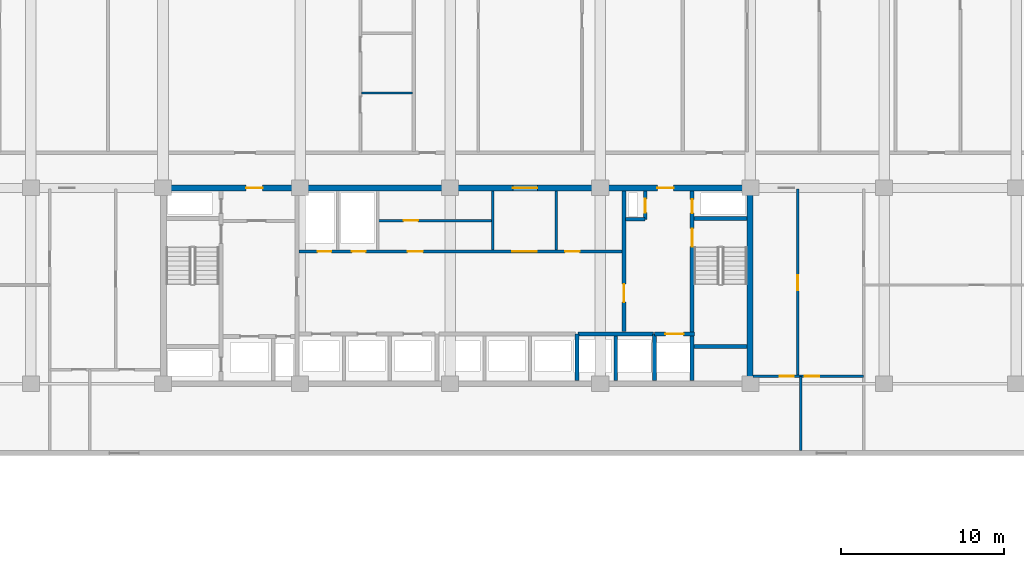
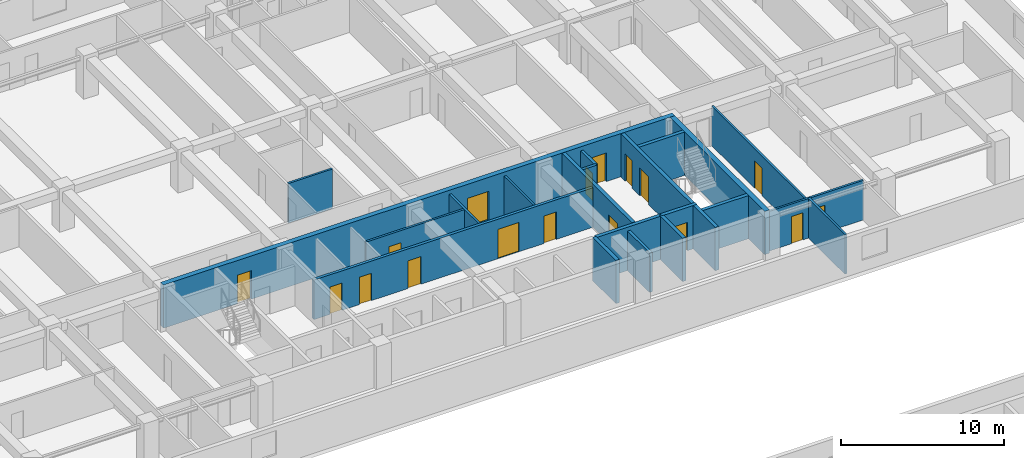
# One storey, part 12 of 23: 21 walls, 17 doors, 17 openings.
"""IFC4 building model written with IfcOpenShell, lengths in metres."""

from ifc_helpers import new_model, si_unit, direction, frame, frame_2d, origin, place, context, subcontext, project, spatial, rectangle, extrude, material, layer, layer_set, type_object, element, fill, save


model = new_model("IFC4")

# Units and contexts
model_context = context("Model", 3, precision=1e-05, world=origin(), true_north=direction((0.0, 1.0)))
body_context = subcontext(model_context, "Body", "Model", "MODEL_VIEW")
ifc_project = project(units=[si_unit("LENGTHUNIT", "METRE"), si_unit("AREAUNIT", "SQUARE_METRE"), si_unit("VOLUMEUNIT", "CUBIC_METRE"), si_unit("PLANEANGLEUNIT", "RADIAN"), si_unit("MASSUNIT", "GRAM", prefix="KILO")], contexts=[model_context])

# Site, building, storey
site_placement = place(None, origin())
site = spatial("IfcSite", under=ifc_project, at=site_placement, CompositionType="ELEMENT")
building_placement = place(site_placement, origin())
building = spatial("IfcBuilding", under=site, at=building_placement, Name="Korimba Cascade Residences", CompositionType="ELEMENT")
storey_placement = place(building_placement, frame((0.0, 0.0, 72.75)))
storey = spatial("IfcBuildingStorey", under=building, at=storey_placement, Name="L20", CompositionType="ELEMENT", Elevation=72.75)

# Wall
ifc_material_1 = material(Name="Concrete C65/80", Category="concrete")
ifc_layer_1 = layer(ifc_material_1, 0.35009765625)
ifc_layer_set_1 = layer_set([ifc_layer_1], Name="Concrete C65/80")
wall_type_1 = type_object("IfcWallType", Name="WAL-CORE-350", PredefinedType="SHEAR", material=ifc_layer_set_1)
wall_1_placement = place(storey_placement, frame((112.074951171875, 55.375, 0.0), z_axis=(0.0, 0.0, 1.0), x_axis=(0.0, 1.0, 0.0)))
element("IfcWall", 1, at=wall_1_placement, inside=storey, type_object=wall_type_1, Name="L20 Core Shear Wall CW-L20-T1-E", PredefinedType="SHEAR", context=body_context, shape_type="SweptSolid", body=[
    extrude(rectangle(XDim=11.64990234375, YDim=0.35009765625, at=frame_2d((5.824951171875, 0.0))), origin(), (0.0, 0.0, 1.0), 3.25),
])

# Wall, openings, doors
wall_2_placement = place(storey_placement, frame((75.949951171875, 67.199951171875, 0.0), z_axis=(0.0, 0.0, 1.0), x_axis=(1.0, 0.0, 0.0)))
wall_2 = element("IfcWall", 2, at=wall_2_placement, inside=storey, type_object=wall_type_1, Name="L20 Core Shear Wall CW-L20-T1-N", PredefinedType="SHEAR", context=body_context, shape_type="SweptSolid", body=[
    extrude(rectangle(XDim=36.300048828125, YDim=0.35009765625, at=frame_2d((18.14990234375, 0.0))), origin(), (0.0, 0.0, 1.0), 3.25),
])
opening_1_placement = place(wall_2_placement, frame((5.25, 0.0, 0.0)))
opening_1 = element("IfcOpeningElement", 3, at=opening_1_placement, cuts=wall_2, Name="Opening D-FD5", PredefinedType="OPENING", context=body_context, shape_type="SweptSolid", body=[
    extrude(rectangle(XDim=1.0, YDim=2.14990234375, at=frame_2d((0.5, 1.074951171875))), frame((0.0, 0.18505859375, 0.0), z_axis=(0.0, -1.0, 0.0), x_axis=(1.0, 0.0, 0.0)), (0.0, 0.0, 1.0), 0.3701171875),
])
opening_2_placement = place(wall_2_placement, frame((21.60009765625, 0.0, 0.0)))
opening_2 = element("IfcOpeningElement", 4, at=opening_2_placement, cuts=wall_2, Name="Opening D-FD8", PredefinedType="OPENING", context=body_context, shape_type="SweptSolid", body=[
    extrude(rectangle(XDim=1.5, YDim=2.199951171875, at=frame_2d((0.75, 1.10009765625))), frame((0.0, 0.18505859375, 0.0), z_axis=(0.0, -1.0, 0.0), x_axis=(1.0, 0.0, 0.0)), (0.0, 0.0, 1.0), 0.3701171875),
])
opening_3_placement = place(wall_2_placement, frame((30.449951171875, 0.0, 0.0)))
opening_3 = element("IfcOpeningElement", 5, at=opening_3_placement, cuts=wall_2, Name="Opening D-FD5", PredefinedType="OPENING", context=body_context, shape_type="SweptSolid", body=[
    extrude(rectangle(XDim=1.0, YDim=2.14990234375, at=frame_2d((0.5, 1.074951171875))), frame((0.0, 0.18505859375, 0.0), z_axis=(0.0, -1.0, 0.0), x_axis=(1.0, 0.0, 0.0)), (0.0, 0.0, 1.0), 0.3701171875),
])
ifc_material_2 = material(Name="Fire-Rated Acoustic Timber Vestibule Door", Category="wood")
door_type_1 = type_object("IfcDoorType", Name="DR-FD90-1000", OperationType="NOTDEFINED", PredefinedType="DOOR", material=ifc_material_2)
door_1_placement = place(opening_1_placement, origin())
door_1 = element("IfcDoor", 6, at=door_1_placement, inside=storey, type_object=door_type_1, Name="L20 T1 West Core Vestibule Fire Door", OperationType="SINGLE_SWING_RIGHT", OverallHeight=2.14990234375, OverallWidth=1.0, PredefinedType="DOOR", context=body_context, shape_type="SweptSolid", body=[
    extrude(rectangle(XDim=1.0, YDim=2.14990234375, at=frame_2d((0.5, 1.074951171875))), frame((0.0, 0.02490234375, 0.0), z_axis=(0.0, -1.0, 0.0), x_axis=(1.0, 0.0, 0.0)), (0.0, 0.0, 1.0), 0.050048828125),
])
fill(opening_1, door_1)
door_2_placement = place(opening_3_placement, origin())
door_2 = element("IfcDoor", 7, at=door_2_placement, inside=storey, type_object=door_type_1, Name="L20 T1 East Firefighting Vestibule Fire Door", OperationType="SINGLE_SWING_LEFT", OverallHeight=2.14990234375, OverallWidth=1.0, PredefinedType="DOOR", context=body_context, shape_type="SweptSolid", body=[
    extrude(rectangle(XDim=1.0, YDim=2.14990234375, at=frame_2d((0.5, 1.074951171875))), frame((0.0, 0.02490234375, 0.0), z_axis=(0.0, -1.0, 0.0), x_axis=(1.0, 0.0, 0.0)), (0.0, 0.0, 1.0), 0.050048828125),
])
fill(opening_3, door_2)
ifc_material_3 = material(Name="Fire-Rated Glazed Lift Lobby Double Door", Category="glass")
door_type_2 = type_object("IfcDoorType", Name="DR-FD90-1500", OperationType="NOTDEFINED", PredefinedType="DOOR", material=ifc_material_3)
door_3_placement = place(opening_2_placement, origin())
door_3 = element("IfcDoor", 8, at=door_3_placement, inside=storey, type_object=door_type_2, Name="L20 T1 Lift Lobby Fire Door", OperationType="DOUBLE_DOOR_SINGLE_SWING", OverallHeight=2.199951171875, OverallWidth=1.5, PredefinedType="DOOR", context=body_context, shape_type="SweptSolid", body=[
    extrude(rectangle(XDim=1.5, YDim=2.199951171875, at=frame_2d((0.75, 1.10009765625))), frame((0.0, 0.02490234375, 0.0), z_axis=(0.0, -1.0, 0.0), x_axis=(1.0, 0.0, 0.0)), (0.0, 0.0, 1.0), 0.050048828125),
])
fill(opening_2, door_3)

# Wall, opening, door
ifc_material_4 = material(Name="Insulated Acoustic Stud Partition", Category="gypsum")
ifc_layer_2 = layer(ifc_material_4, 0.14990234375)
ifc_layer_set_2 = layer_set([ifc_layer_2], Name="Insulated Acoustic Stud Partition")
wall_type_2 = type_object("IfcWallType", Name="WAL-PART-150", PredefinedType="PARTITIONING", material=ifc_layer_set_2)
wall_3_placement = place(storey_placement, frame((89.25, 65.199951171875, 0.0), z_axis=(0.0, 0.0, 1.0), x_axis=(1.0, 0.0, 0.0)))
wall_3 = element("IfcWall", 9, at=wall_3_placement, inside=storey, type_object=wall_type_2, Name="L20 Partition Wall CW-L20-T1-CA2HZ", PredefinedType="PARTITIONING", context=body_context, shape_type="SweptSolid", body=[
    extrude(rectangle(XDim=7.050048828125, YDim=0.14990234375, at=frame_2d((3.52490234375, 0.0))), origin(), (0.0, 0.0, 1.0), 2.969970703125),
])
opening_4_placement = place(wall_3_placement, frame((1.60009765625, 0.0, 0.0)))
opening_4 = element("IfcOpeningElement", 10, at=opening_4_placement, cuts=wall_3, Name="Opening D-IN2", PredefinedType="OPENING", context=body_context, shape_type="SweptSolid", body=[
    extrude(rectangle(XDim=0.8798828125, YDim=2.06005859375, at=frame_2d((0.43994140625, 1.030029296875))), frame((0.0, 0.0849609375, 0.0), z_axis=(0.0, -1.0, 0.0), x_axis=(1.0, 0.0, 0.0)), (0.0, 0.0, 1.0), 0.169921875),
])
ifc_material_5 = material(Name="Acoustic Timber Bedroom Door", Category="wood")
door_type_3 = type_object("IfcDoorType", Name="DR-INT-880", OperationType="NOTDEFINED", PredefinedType="DOOR", material=ifc_material_5)
door_4_placement = place(opening_4_placement, origin())
door_4 = element("IfcDoor", 11, at=door_4_placement, inside=storey, type_object=door_type_3, Name="L20 Pram Store Door", OperationType="SINGLE_SWING_RIGHT", OverallHeight=2.06005859375, OverallWidth=0.8798828125, PredefinedType="DOOR", context=body_context, shape_type="SweptSolid", body=[
    extrude(rectangle(XDim=0.8798828125, YDim=2.06005859375, at=frame_2d((0.43994140625, 1.030029296875))), frame((0.0, 0.02490234375, 0.0), z_axis=(0.0, -1.0, 0.0), x_axis=(1.0, 0.0, 0.0)), (0.0, 0.0, 1.0), 0.050048828125),
])
fill(opening_4, door_4)

# Walls
for number, where, z_axis, x_axis, name in (
    (12, (96.300048828125, 63.39990234375, 0.0), (0.0, 0.0, 1.0), (0.0, 1.0, 0.0), "L20 Partition Wall CW-L20-T1-THW"),
    (13, (100.199951171875, 63.39990234375, 0.0), (0.0, 0.0, 1.0), (0.0, 1.0, 0.0), "L20 Partition Wall CW-L20-T1-THE"),
):
    element("IfcWall", number, at=place(storey_placement, frame(where, z_axis=z_axis, x_axis=x_axis)), inside=storey, type_object=wall_type_2, Name=name, PredefinedType="PARTITIONING", context=body_context, shape_type="SweptSolid", body=[
        extrude(rectangle(XDim=3.60009765625, YDim=0.14990234375, at=frame_2d((1.800048828125, 0.0))), origin(), (0.0, 0.0, 1.0), 2.969970703125),
    ])

# Wall, opening, door
wall_4_placement = place(storey_placement, frame((115.0, 55.64990234375, 0.0), z_axis=(0.0, 0.0, 1.0), x_axis=(0.0, 1.0, 0.0)))
wall_4 = element("IfcWall", 14, at=wall_4_placement, inside=storey, type_object=wall_type_2, Name="L20 Partition Wall WAL-L20-T1-FE-VN", PredefinedType="PARTITIONING", context=body_context, shape_type="SweptSolid", body=[
    extrude(rectangle(XDim=11.5, YDim=0.14990234375, at=frame_2d((5.75, 0.0))), origin(), (0.0, 0.0, 1.0), 2.969970703125),
])
opening_5_placement = place(wall_4_placement, frame((5.2900390625, 0.0, 0.0)))
opening_5 = element("IfcOpeningElement", 15, at=opening_5_placement, cuts=wall_4, Name="Opening D-IN1", PredefinedType="OPENING", context=body_context, shape_type="SweptSolid", body=[
    extrude(rectangle(XDim=0.919921875, YDim=2.080078125, at=frame_2d((0.4599609375, 1.0400390625))), frame((0.0, 0.0849609375, 0.0), z_axis=(0.0, -1.0, 0.0), x_axis=(1.0, 0.0, 0.0)), (0.0, 0.0, 1.0), 0.169921875),
])
ifc_material_6 = material(Name="Acoustic Timber Living Door", Category="wood")
door_type_4 = type_object("IfcDoorType", Name="DR-INT-920", OperationType="NOTDEFINED", PredefinedType="DOOR", material=ifc_material_6)
door_5_placement = place(opening_5_placement, origin())
door_5 = element("IfcDoor", 16, at=door_5_placement, inside=storey, type_object=door_type_4, Name="L20-T1-FE Living Door", OperationType="SINGLE_SWING_LEFT", OverallHeight=2.080078125, OverallWidth=0.919921875, PredefinedType="DOOR", context=body_context, shape_type="SweptSolid", body=[
    extrude(rectangle(XDim=0.919921875, YDim=2.080078125, at=frame_2d((0.4599609375, 1.0400390625))), frame((0.0, 0.02490234375, 0.0), z_axis=(0.0, -1.0, 0.0), x_axis=(1.0, 0.0, 0.0)), (0.0, 0.0, 1.0), 0.050048828125),
])
fill(opening_5, door_5)

# Wall
wall_5_placement = place(storey_placement, frame((115.199951171875, 51.10009765625, 0.0), z_axis=(0.0, 0.0, 1.0), x_axis=(0.0, 1.0, 0.0)))
element("IfcWall", 17, at=wall_5_placement, inside=storey, type_object=wall_type_2, Name="L20 Partition Wall WAL-L20-T1-FE-VS", PredefinedType="PARTITIONING", context=body_context, shape_type="SweptSolid", body=[
    extrude(rectangle(XDim=4.5498046875, YDim=0.14990234375, at=frame_2d((2.27490234375, 0.0))), origin(), (0.0, 0.0, 1.0), 2.969970703125),
])

# Wall, openings, doors
wall_6_placement = place(storey_placement, frame((112.27001953125, 55.64990234375, 0.0), z_axis=(0.0, 0.0, 1.0), x_axis=(1.0, 0.0, 0.0)))
wall_6 = element("IfcWall", 18, at=wall_6_placement, inside=storey, type_object=wall_type_2, Name="L20 Partition Wall WAL-L20-T1-FE-H", PredefinedType="PARTITIONING", context=body_context, shape_type="SweptSolid", body=[
    extrude(rectangle(XDim=6.760009765625, YDim=0.14990234375, at=frame_2d((3.3798828125, 0.0))), origin(), (0.0, 0.0, 1.0), 2.969970703125),
])
opening_6_placement = place(wall_6_placement, frame((1.6396484375, 0.0, 0.0)))
opening_6 = element("IfcOpeningElement", 19, at=opening_6_placement, cuts=wall_6, Name="Opening D-BT1", PredefinedType="OPENING", context=body_context, shape_type="SweptSolid", body=[
    extrude(rectangle(XDim=0.840087890625, YDim=2.0400390625, at=frame_2d((0.419921875, 1.02001953125))), frame((0.0, 0.0849609375, 0.0), z_axis=(0.0, -1.0, 0.0), x_axis=(1.0, 0.0, 0.0)), (0.0, 0.0, 1.0), 0.169921875),
])
opening_7_placement = place(wall_6_placement, frame((3.160400390625, 0.0, 0.0)))
opening_7 = element("IfcOpeningElement", 20, at=opening_7_placement, cuts=wall_6, Name="Opening D-IN2", PredefinedType="OPENING", context=body_context, shape_type="SweptSolid", body=[
    extrude(rectangle(XDim=0.8798828125, YDim=2.06005859375, at=frame_2d((0.43994140625, 1.030029296875))), frame((0.0, 0.0849609375, 0.0), z_axis=(0.0, -1.0, 0.0), x_axis=(1.0, 0.0, 0.0)), (0.0, 0.0, 1.0), 0.169921875),
])
ifc_material_7 = material(Name="Moisture-Resistant Bathroom Timber Door", Category="wood")
door_type_5 = type_object("IfcDoorType", Name="DR-INT-850", OperationType="NOTDEFINED", PredefinedType="DOOR", material=ifc_material_7)
door_6_placement = place(opening_6_placement, origin())
door_6 = element("IfcDoor", 21, at=door_6_placement, inside=storey, type_object=door_type_5, Name="L20-T1-FE Bathroom Door", OperationType="SINGLE_SWING_RIGHT", OverallHeight=2.0400390625, OverallWidth=0.840087890625, PredefinedType="DOOR", context=body_context, shape_type="SweptSolid", body=[
    extrude(rectangle(XDim=0.840087890625, YDim=2.0400390625, at=frame_2d((0.419921875, 1.02001953125))), frame((0.0, 0.02490234375, 0.0), z_axis=(0.0, -1.0, 0.0), x_axis=(1.0, 0.0, 0.0)), (0.0, 0.0, 1.0), 0.050048828125),
])
fill(opening_6, door_6)
door_7_placement = place(opening_7_placement, origin())
door_7 = element("IfcDoor", 22, at=door_7_placement, inside=storey, type_object=door_type_3, Name="L20-T1-FE Bedroom Door", OperationType="SINGLE_SWING_LEFT", OverallHeight=2.06005859375, OverallWidth=0.8798828125, PredefinedType="DOOR", context=body_context, shape_type="SweptSolid", body=[
    extrude(rectangle(XDim=0.8798828125, YDim=2.06005859375, at=frame_2d((0.43994140625, 1.030029296875))), frame((0.0, 0.02490234375, 0.0), z_axis=(0.0, -1.0, 0.0), x_axis=(1.0, 0.0, 0.0)), (0.0, 0.0, 1.0), 0.050048828125),
])
fill(opening_7, door_7)

# Walls
wall_7_placement = place(storey_placement, frame((88.2509765625, 73.02001953125, 0.0), z_axis=(0.0, 0.0, 1.0), x_axis=(1.0, 0.0, 0.0)))
element("IfcWall", 23, at=wall_7_placement, inside=storey, type_object=wall_type_2, Name="L20 Partition Wall WAL-L20-T1-U02-WCH", PredefinedType="PARTITIONING", context=body_context, shape_type="SweptSolid", body=[
    extrude(rectangle(XDim=3.1298828125, YDim=0.14990234375, at=frame_2d((1.56494140625, 0.0))), origin(), (0.0, 0.0, 1.0), 2.969970703125),
])
ifc_material_8 = material(Name="Concrete C40/50", Category="concrete")
ifc_layer_3 = layer(ifc_material_8, 0.199951171875)
ifc_layer_set_3 = layer_set([ifc_layer_3], Name="Concrete C40/50")
wall_type_3 = type_object("IfcWallType", Name="WAL-PART-200", PredefinedType="PARTITIONING", material=ifc_layer_set_3)
wall_8_placement = place(storey_placement, frame((103.85009765625, 55.39990234375, 0.0), z_axis=(0.0, 0.0, 1.0), x_axis=(0.0, 1.0, 0.0)))
element("IfcWall", 24, at=wall_8_placement, inside=storey, type_object=wall_type_3, Name="L20 Partition Wall CW-L20-T1-B3D1", PredefinedType="PARTITIONING", context=body_context, shape_type="SweptSolid", body=[
    extrude(rectangle(XDim=2.72021484375, YDim=0.199951171875, at=frame_2d((1.360107421875, 0.0))), origin(), (0.0, 0.0, 1.0), 2.969970703125),
])

# Wall, openings, doors
wall_9_placement = place(storey_placement, frame((84.419921875, 63.300048828125, 0.0), z_axis=(0.0, 0.0, 1.0), x_axis=(1.0, 0.0, 0.0)))
wall_9 = element("IfcWall", 25, at=wall_9_placement, inside=storey, type_object=wall_type_3, Name="L20 Partition Wall CW-L20-T1-SRVROW", PredefinedType="PARTITIONING", context=body_context, shape_type="SweptSolid", body=[
    extrude(rectangle(XDim=19.830078125, YDim=0.199951171875, at=frame_2d((9.9150390625, 0.0))), origin(), (0.0, 0.0, 1.0), 2.969970703125),
])
opening_8_placement = place(wall_9_placement, frame((1.14990234375, 0.0, 0.0)))
opening_8 = element("IfcOpeningElement", 26, at=opening_8_placement, cuts=wall_9, Name="Opening D-RS1", PredefinedType="OPENING", context=body_context, shape_type="SweptSolid", body=[
    extrude(rectangle(XDim=0.85009765625, YDim=2.050048828125, at=frame_2d((0.425048828125, 1.02490234375))), frame((0.0, 0.10986328125, 0.0), z_axis=(0.0, -1.0, 0.0), x_axis=(1.0, 0.0, 0.0)), (0.0, 0.0, 1.0), 0.219970703125),
])
opening_9_placement = place(wall_9_placement, frame((3.25, 0.0, 0.0)))
opening_9 = element("IfcOpeningElement", 27, at=opening_9_placement, cuts=wall_9, Name="Opening D-RS1", PredefinedType="OPENING", context=body_context, shape_type="SweptSolid", body=[
    extrude(rectangle(XDim=0.85009765625, YDim=2.050048828125, at=frame_2d((0.425048828125, 1.02490234375))), frame((0.0, 0.10986328125, 0.0), z_axis=(0.0, -1.0, 0.0), x_axis=(1.0, 0.0, 0.0)), (0.0, 0.0, 1.0), 0.219970703125),
])
opening_10_placement = place(wall_9_placement, frame((13.080078125, 0.0, 0.0)))
opening_10 = element("IfcOpeningElement", 28, at=opening_10_placement, cuts=wall_9, Name="Opening D-FD8", PredefinedType="OPENING", context=body_context, shape_type="SweptSolid", body=[
    extrude(rectangle(XDim=1.5, YDim=2.199951171875, at=frame_2d((0.75, 1.10009765625))), frame((0.0, 0.10986328125, 0.0), z_axis=(0.0, -1.0, 0.0), x_axis=(1.0, 0.0, 0.0)), (0.0, 0.0, 1.0), 0.219970703125),
])
opening_11_placement = place(wall_9_placement, frame((6.679931640625, 0.0, 0.0)))
opening_11 = element("IfcOpeningElement", 29, at=opening_11_placement, cuts=wall_9, Name="Opening D-IN1", PredefinedType="OPENING", context=body_context, shape_type="SweptSolid", body=[
    extrude(rectangle(XDim=0.919921875, YDim=2.080078125, at=frame_2d((0.4599609375, 1.0400390625))), frame((0.0, 0.10986328125, 0.0), z_axis=(0.0, -1.0, 0.0), x_axis=(1.0, 0.0, 0.0)), (0.0, 0.0, 1.0), 0.219970703125),
])
opening_12_placement = place(wall_9_placement, frame((16.330078125, 0.0, 0.0)))
opening_12 = element("IfcOpeningElement", 30, at=opening_12_placement, cuts=wall_9, Name="Opening D-IN2", PredefinedType="OPENING", context=body_context, shape_type="SweptSolid", body=[
    extrude(rectangle(XDim=0.8798828125, YDim=2.06005859375, at=frame_2d((0.43994140625, 1.030029296875))), frame((0.0, 0.10986328125, 0.0), z_axis=(0.0, -1.0, 0.0), x_axis=(1.0, 0.0, 0.0)), (0.0, 0.0, 1.0), 0.219970703125),
])
ifc_material_9 = material(Name="Fire-Rated Steel Riser Access Door", Category="steel")
door_type_6 = type_object("IfcDoorType", Name="DR-FD60-850", OperationType="NOTDEFINED", PredefinedType="DOOR", material=ifc_material_9)
door_8_placement = place(opening_8_placement, origin())
door_8 = element("IfcDoor", 31, at=door_8_placement, inside=storey, type_object=door_type_6, Name="L20 Electrical Riser Door", OperationType="SINGLE_SWING_LEFT", OverallHeight=2.050048828125, OverallWidth=0.85009765625, PredefinedType="DOOR", context=body_context, shape_type="SweptSolid", body=[
    extrude(rectangle(XDim=0.85009765625, YDim=2.050048828125, at=frame_2d((0.425048828125, 1.02490234375))), frame((0.0, 0.02490234375, 0.0), z_axis=(0.0, -1.0, 0.0), x_axis=(1.0, 0.0, 0.0)), (0.0, 0.0, 1.0), 0.050048828125),
])
fill(opening_8, door_8)
door_9_placement = place(opening_9_placement, origin())
door_9 = element("IfcDoor", 32, at=door_9_placement, inside=storey, type_object=door_type_6, Name="L20 Plumbing Riser Door", OperationType="SINGLE_SWING_RIGHT", OverallHeight=2.050048828125, OverallWidth=0.85009765625, PredefinedType="DOOR", context=body_context, shape_type="SweptSolid", body=[
    extrude(rectangle(XDim=0.85009765625, YDim=2.050048828125, at=frame_2d((0.425048828125, 1.02490234375))), frame((0.0, 0.02490234375, 0.0), z_axis=(0.0, -1.0, 0.0), x_axis=(1.0, 0.0, 0.0)), (0.0, 0.0, 1.0), 0.050048828125),
])
fill(opening_9, door_9)
door_10_placement = place(opening_10_placement, origin())
door_10 = element("IfcDoor", 33, at=door_10_placement, inside=storey, type_object=door_type_2, Name="L20 Lift Lobby Foyer Archway Door", OperationType="DOUBLE_DOOR_SINGLE_SWING", OverallHeight=2.199951171875, OverallWidth=1.5, PredefinedType="DOOR", context=body_context, shape_type="SweptSolid", body=[
    extrude(rectangle(XDim=1.5, YDim=2.199951171875, at=frame_2d((0.75, 1.10009765625))), frame((0.0, 0.02490234375, 0.0), z_axis=(0.0, -1.0, 0.0), x_axis=(1.0, 0.0, 0.0)), (0.0, 0.0, 1.0), 0.050048828125),
])
fill(opening_10, door_10)
door_11_placement = place(opening_12_placement, origin())
door_11 = element("IfcDoor", 34, at=door_11_placement, inside=storey, type_object=door_type_3, Name="L20 Staff WC Door", OperationType="SINGLE_SWING_RIGHT", OverallHeight=2.06005859375, OverallWidth=0.8798828125, PredefinedType="DOOR", context=body_context, shape_type="SweptSolid", body=[
    extrude(rectangle(XDim=0.8798828125, YDim=2.06005859375, at=frame_2d((0.43994140625, 1.030029296875))), frame((0.0, 0.02490234375, 0.0), z_axis=(0.0, -1.0, 0.0), x_axis=(1.0, 0.0, 0.0)), (0.0, 0.0, 1.0), 0.050048828125),
])
fill(opening_12, door_11)
door_12_placement = place(opening_11_placement, origin())
door_12 = element("IfcDoor", 35, at=door_12_placement, inside=storey, type_object=door_type_4, Name="L20 Locker Room Door", OperationType="SINGLE_SWING_LEFT", OverallHeight=2.080078125, OverallWidth=0.919921875, PredefinedType="DOOR", context=body_context, shape_type="SweptSolid", body=[
    extrude(rectangle(XDim=0.919921875, YDim=2.080078125, at=frame_2d((0.4599609375, 1.0400390625))), frame((0.0, 0.02490234375, 0.0), z_axis=(0.0, -1.0, 0.0), x_axis=(1.0, 0.0, 0.0)), (0.0, 0.0, 1.0), 0.050048828125),
])
fill(opening_11, door_12)

# Wall
wall_10_placement = place(storey_placement, frame((104.449951171875, 65.280029296875, 0.0), z_axis=(0.0, 0.0, 1.0), x_axis=(1.0, 0.0, 0.0)))
element("IfcWall", 36, at=wall_10_placement, inside=storey, type_object=wall_type_3, Name="L20 Partition Wall CW-L20-T1-HYDW2S", PredefinedType="PARTITIONING", context=body_context, shape_type="SweptSolid", body=[
    extrude(rectangle(XDim=1.199951171875, YDim=0.199951171875, at=frame_2d((0.60009765625, 0.0))), origin(), (0.0, 0.0, 1.0), 2.969970703125),
])

# Wall, opening, door
wall_11_placement = place(storey_placement, frame((105.64990234375, 65.280029296875, 0.0), z_axis=(0.0, 0.0, 1.0), x_axis=(0.0, 1.0, 0.0)))
wall_11 = element("IfcWall", 37, at=wall_11_placement, inside=storey, type_object=wall_type_3, Name="L20 Partition Wall CW-L20-T1-HYDW2E", PredefinedType="PARTITIONING", context=body_context, shape_type="SweptSolid", body=[
    extrude(rectangle(XDim=1.719970703125, YDim=0.199951171875, at=frame_2d((0.85986328125, 0.0))), origin(), (0.0, 0.0, 1.0), 2.969970703125),
])
opening_13_placement = place(wall_11_placement, frame((0.39990234375, 0.0, 0.0)))
opening_13 = element("IfcOpeningElement", 38, at=opening_13_placement, cuts=wall_11, Name="Opening D-RS1", PredefinedType="OPENING", context=body_context, shape_type="SweptSolid", body=[
    extrude(rectangle(XDim=0.85009765625, YDim=2.050048828125, at=frame_2d((0.425048828125, 1.02490234375))), frame((0.0, 0.10986328125, 0.0), z_axis=(0.0, -1.0, 0.0), x_axis=(1.0, 0.0, 0.0)), (0.0, 0.0, 1.0), 0.219970703125),
])
door_13_placement = place(opening_13_placement, origin())
door_13 = element("IfcDoor", 39, at=door_13_placement, inside=storey, type_object=door_type_6, Name="L20 East Hydrant Door", OperationType="SINGLE_SWING_LEFT", OverallHeight=2.050048828125, OverallWidth=0.85009765625, PredefinedType="DOOR", context=body_context, shape_type="SweptSolid", body=[
    extrude(rectangle(XDim=0.85009765625, YDim=2.050048828125, at=frame_2d((0.425048828125, 1.02490234375))), frame((0.0, 0.02490234375, 0.0), z_axis=(0.0, -1.0, 0.0), x_axis=(1.0, 0.0, 0.0)), (0.0, 0.0, 1.0), 0.050048828125),
])
fill(opening_13, door_13)

# Walls
ifc_material_10 = material(Name="Concrete C50/60", Category="concrete")
ifc_layer_4 = layer(ifc_material_10, 0.25)
ifc_layer_set_4 = layer_set([ifc_layer_4], Name="Concrete C50/60")
wall_type_4 = type_object("IfcWallType", Name="WAL-SHAFT-250", PredefinedType="SHEAR", material=ifc_layer_set_4)
wall_12_placement = place(storey_placement, frame((101.47998046875, 55.39990234375, 0.0), z_axis=(0.0, 0.0, 1.0), x_axis=(0.0, 1.0, 0.0)))
element("IfcWall", 40, at=wall_12_placement, inside=storey, type_object=wall_type_4, Name="L20 Core Shear Wall CW-L20-T1-B23DIV", PredefinedType="SHEAR", context=body_context, shape_type="SweptSolid", body=[
    extrude(rectangle(XDim=2.85009765625, YDim=0.25, at=frame_2d((1.425048828125, 0.0))), origin(), (0.0, 0.0, 1.0), 3.25),
])
wall_13_placement = place(storey_placement, frame((101.550048828125, 58.25, 0.0), z_axis=(0.0, 0.0, 1.0), x_axis=(1.0, 0.0, 0.0)))
element("IfcWall", 41, at=wall_13_placement, inside=storey, type_object=wall_type_4, Name="L20 Core Shear Wall CW-L20-T1-B3N", PredefinedType="SHEAR", context=body_context, shape_type="SweptSolid", body=[
    extrude(rectangle(XDim=4.599853515625, YDim=0.25, at=frame_2d((2.2998046875, 0.0))), origin(), (0.0, 0.0, 1.0), 3.25),
])
wall_14_placement = place(storey_placement, frame((106.219970703125, 55.39990234375, 0.0), z_axis=(0.0, 0.0, 1.0), x_axis=(0.0, 1.0, 0.0)))
element("IfcWall", 42, at=wall_14_placement, inside=storey, type_object=wall_type_4, Name="L20 Core Shear Wall CW-L20-T1-FF2W", PredefinedType="SHEAR", context=body_context, shape_type="SweptSolid", body=[
    extrude(rectangle(XDim=2.85009765625, YDim=0.25, at=frame_2d((1.425048828125, 0.0))), origin(), (0.0, 0.0, 1.0), 3.25),
])

# Wall, opening, door
wall_15_placement = place(storey_placement, frame((106.219970703125, 58.25, 0.0), z_axis=(0.0, 0.0, 1.0), x_axis=(1.0, 0.0, 0.0)))
wall_15 = element("IfcWall", 43, at=wall_15_placement, inside=storey, type_object=wall_type_4, Name="L20 Core Shear Wall CW-L20-T1-FF2N", PredefinedType="SHEAR", context=body_context, shape_type="SweptSolid", body=[
    extrude(rectangle(XDim=2.4599609375, YDim=0.25, at=frame_2d((1.22998046875, 0.0))), origin(), (0.0, 0.0, 1.0), 3.25),
])
opening_14_placement = place(wall_15_placement, frame((0.669921875, 0.0, 0.0)))
opening_14 = element("IfcOpeningElement", 44, at=opening_14_placement, cuts=wall_15, Name="Opening LD-01", PredefinedType="OPENING", context=body_context, shape_type="SweptSolid", body=[
    extrude(rectangle(XDim=1.1201171875, YDim=2.1201171875, at=frame_2d((0.56005859375, 1.06005859375))), frame((0.0, 0.135009765625, 0.0), z_axis=(0.0, -1.0, 0.0), x_axis=(1.0, 0.0, 0.0)), (0.0, 0.0, 1.0), 0.27001953125),
])
ifc_material_11 = material(Name="Stainless Steel Lift Landing Sliding Door", Category="steel")
door_type_7 = type_object("IfcDoorType", Name="DR-LIFT-1100", OperationType="NOTDEFINED", PredefinedType="DOOR", material=ifc_material_11)
door_14_placement = place(opening_14_placement, origin())
door_14 = element("IfcDoor", 45, at=door_14_placement, inside=storey, type_object=door_type_7, Name="L20 Firefighting Lift Landing Door FFL-W2", OperationType="SLIDING_TO_RIGHT", OverallHeight=2.1201171875, OverallWidth=1.1201171875, PredefinedType="DOOR", context=body_context, shape_type="SweptSolid", body=[
    extrude(rectangle(XDim=1.1201171875, YDim=2.1201171875, at=frame_2d((0.56005859375, 1.06005859375))), frame((0.0, 0.02490234375, 0.0), z_axis=(0.0, -1.0, 0.0), x_axis=(1.0, 0.0, 0.0)), (0.0, 0.0, 1.0), 0.050048828125),
])
fill(opening_14, door_14)

wall_16_placement = place(storey_placement, frame((104.35009765625, 58.39990234375, 0.0), z_axis=(0.0, 0.0, 1.0), x_axis=(0.0, 1.0, 0.0)))
wall_16 = element("IfcWall", 46, at=wall_16_placement, inside=storey, type_object=wall_type_4, Name="L20 Core Shear Wall CW-L20-T1-LLEV", PredefinedType="SHEAR", context=body_context, shape_type="SweptSolid", body=[
    extrude(rectangle(XDim=8.60009765625, YDim=0.25, at=frame_2d((4.300048828125, 0.0))), origin(), (0.0, 0.0, 1.0), 3.25),
])
opening_15_placement = place(wall_16_placement, frame((1.800048828125, 0.0, 0.0)))
opening_15 = element("IfcOpeningElement", 47, at=opening_15_placement, cuts=wall_16, Name="Opening D-FD1", PredefinedType="OPENING", context=body_context, shape_type="SweptSolid", body=[
    extrude(rectangle(XDim=1.10009765625, YDim=2.10009765625, at=frame_2d((0.550048828125, 1.050048828125))), frame((0.0, 0.135009765625, 0.0), z_axis=(0.0, -1.0, 0.0), x_axis=(1.0, 0.0, 0.0)), (0.0, 0.0, 1.0), 0.27001953125),
])
ifc_material_12 = material(Name="Fire-Rated Steel Core Door", Category="steel")
door_type_8 = type_object("IfcDoorType", Name="DR-FD120-1100", OperationType="NOTDEFINED", PredefinedType="DOOR", material=ifc_material_12)
door_15_placement = place(opening_15_placement, origin())
door_15 = element("IfcDoor", 48, at=door_15_placement, inside=storey, type_object=door_type_8, Name="L20 Lift Lobby to East Firefighting Lobby Door", OperationType="SINGLE_SWING_RIGHT", OverallHeight=2.10009765625, OverallWidth=1.10009765625, PredefinedType="DOOR", context=body_context, shape_type="SweptSolid", body=[
    extrude(rectangle(XDim=1.10009765625, YDim=2.10009765625, at=frame_2d((0.550048828125, 1.050048828125))), frame((0.0, 0.02490234375, 0.0), z_axis=(0.0, -1.0, 0.0), x_axis=(1.0, 0.0, 0.0)), (0.0, 0.0, 1.0), 0.050048828125),
])
fill(opening_15, door_15)

# Wall, openings, doors
wall_17_placement = place(storey_placement, frame((108.534912109375, 55.39990234375, 0.0), z_axis=(0.0, 0.0, 1.0), x_axis=(0.0, 1.0, 0.0)))
wall_17 = element("IfcWall", 49, at=wall_17_placement, inside=storey, type_object=wall_type_4, Name="L20 Core Shear Wall CW-L20-T1-STW2W", PredefinedType="SHEAR", context=body_context, shape_type="SweptSolid", body=[
    extrude(rectangle(XDim=11.60009765625, YDim=0.25, at=frame_2d((5.800048828125, 0.0))), origin(), (0.0, 0.0, 1.0), 3.25),
])
opening_16_placement = place(wall_17_placement, frame((8.199951171875, 0.0, 0.0)))
opening_16 = element("IfcOpeningElement", 50, at=opening_16_placement, cuts=wall_17, Name="Opening D-FD1", PredefinedType="OPENING", context=body_context, shape_type="SweptSolid", body=[
    extrude(rectangle(XDim=1.10009765625, YDim=2.10009765625, at=frame_2d((0.550048828125, 1.050048828125))), frame((0.0, 0.135009765625, 0.0), z_axis=(0.0, -1.0, 0.0), x_axis=(1.0, 0.0, 0.0)), (0.0, 0.0, 1.0), 0.27001953125),
])
opening_17_placement = place(wall_17_placement, frame((10.25, 0.0, 0.0)))
opening_17 = element("IfcOpeningElement", 51, at=opening_17_placement, cuts=wall_17, Name="Opening D-RS1", PredefinedType="OPENING", context=body_context, shape_type="SweptSolid", body=[
    extrude(rectangle(XDim=0.85009765625, YDim=2.050048828125, at=frame_2d((0.425048828125, 1.02490234375))), frame((0.0, 0.135009765625, 0.0), z_axis=(0.0, -1.0, 0.0), x_axis=(1.0, 0.0, 0.0)), (0.0, 0.0, 1.0), 0.27001953125),
])
door_16_placement = place(opening_16_placement, origin())
door_16 = element("IfcDoor", 52, at=door_16_placement, inside=storey, type_object=door_type_8, Name="L20 Fire Stair ST-W2 Door", OperationType="SINGLE_SWING_LEFT", OverallHeight=2.10009765625, OverallWidth=1.10009765625, PredefinedType="DOOR", context=body_context, shape_type="SweptSolid", body=[
    extrude(rectangle(XDim=1.10009765625, YDim=2.10009765625, at=frame_2d((0.550048828125, 1.050048828125))), frame((0.0, 0.02490234375, 0.0), z_axis=(0.0, -1.0, 0.0), x_axis=(1.0, 0.0, 0.0)), (0.0, 0.0, 1.0), 0.050048828125),
])
fill(opening_16, door_16)
door_17_placement = place(opening_17_placement, origin())
door_17 = element("IfcDoor", 53, at=door_17_placement, inside=storey, type_object=door_type_6, Name="L20 East Riser Door", OperationType="SINGLE_SWING_RIGHT", OverallHeight=2.050048828125, OverallWidth=0.85009765625, PredefinedType="DOOR", context=body_context, shape_type="SweptSolid", body=[
    extrude(rectangle(XDim=0.85009765625, YDim=2.050048828125, at=frame_2d((0.425048828125, 1.02490234375))), frame((0.0, 0.02490234375, 0.0), z_axis=(0.0, -1.0, 0.0), x_axis=(1.0, 0.0, 0.0)), (0.0, 0.0, 1.0), 0.050048828125),
])
fill(opening_17, door_17)

# Walls
for number, where, z_axis, x_axis, name in (
    (54, (108.659912109375, 57.47509765625, 0.0), (0.0, 0.0, 1.0), (1.0, 0.0, 0.0), "L20 Core Shear Wall CW-L20-T1-STW2S"),
    (55, (108.659912109375, 65.324951171875, 0.0), (0.0, 0.0, 1.0), (1.0, 0.0, 0.0), "L20 Core Shear Wall CW-L20-T1-STW2N"),
):
    element("IfcWall", number, at=place(storey_placement, frame(where, z_axis=z_axis, x_axis=x_axis)), inside=storey, type_object=wall_type_4, Name=name, PredefinedType="SHEAR", context=body_context, shape_type="SweptSolid", body=[
        extrude(rectangle(XDim=3.239990234375, YDim=0.25, at=frame_2d((1.6201171875, 0.0))), origin(), (0.0, 0.0, 1.0), 3.25),
    ])

save(model, "model.ifc")
